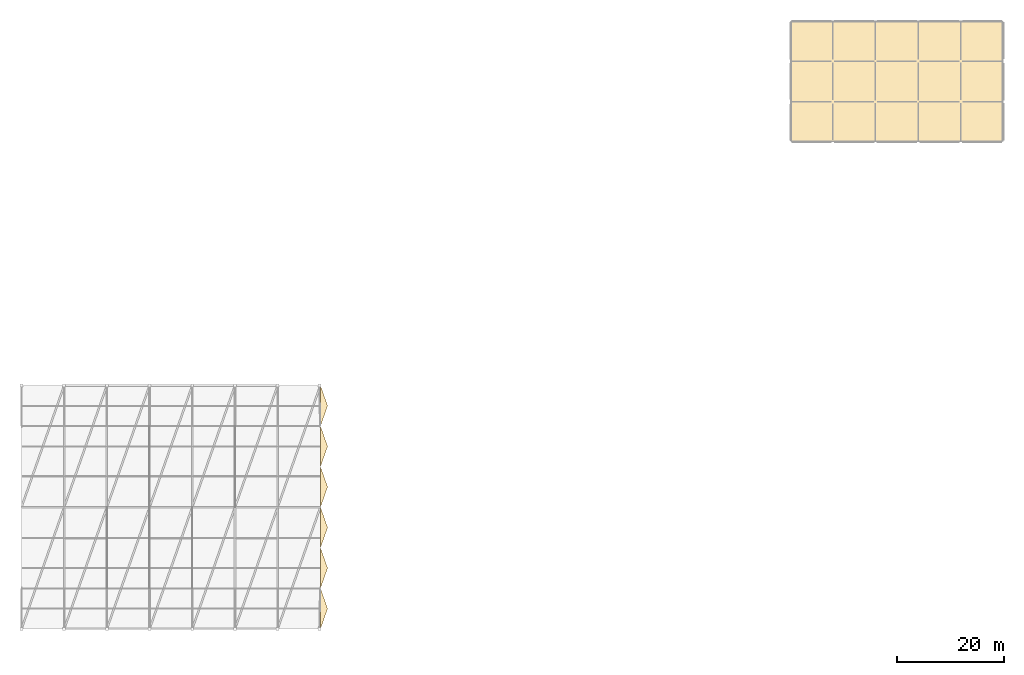
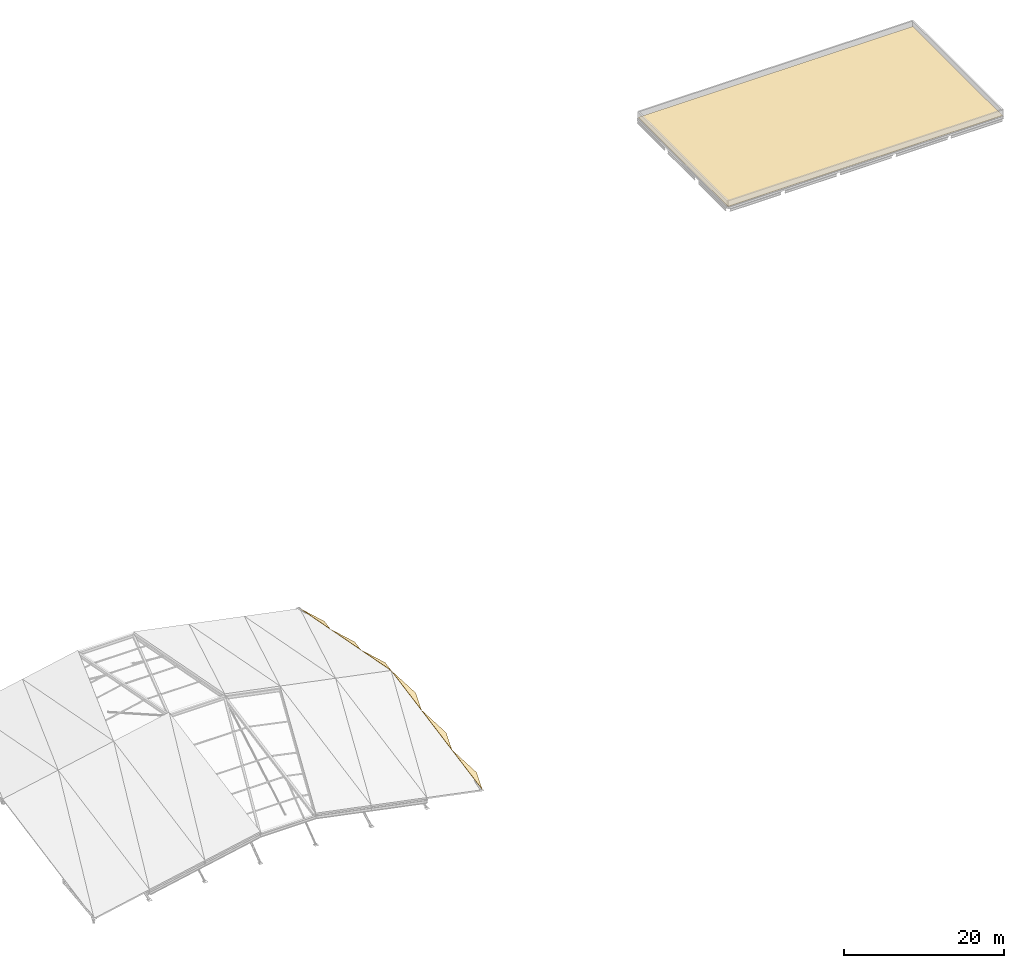
# One storey, part 9 of 9: 7 coverings.
"""IFC4 building model written with IfcOpenShell, lengths in metres."""

from ifc_helpers import new_model, si_unit, direction, frame, origin, place, context, subcontext, project, spatial, polyline, outline, extrude, material, layer, layer_set, type_object, element, save


model = new_model("IFC4")

# Units and contexts
model_context = context("Model", 3, precision=1e-05, world=origin(), true_north=direction((0.0, 1.0)))
body_context = subcontext(model_context, "Body", "Model", "MODEL_VIEW")
ifc_project = project(units=[si_unit("LENGTHUNIT", "METRE"), si_unit("AREAUNIT", "SQUARE_METRE"), si_unit("VOLUMEUNIT", "CUBIC_METRE"), si_unit("PLANEANGLEUNIT", "RADIAN"), si_unit("MASSUNIT", "GRAM", prefix="KILO")], contexts=[model_context])

# Site, building, storey
site_placement = place(None, origin())
site = spatial("IfcSite", under=ifc_project, at=site_placement, CompositionType="ELEMENT")
building_placement = place(site_placement, origin())
building = spatial("IfcBuilding", under=site, at=building_placement, Name="Khelvaren Railside Concert Hall", CompositionType="ELEMENT")
storey_placement = place(building_placement, frame((0.0, 0.0, 29.39990234375)))
storey = spatial("IfcBuildingStorey", under=building, at=storey_placement, Name="ROOF", CompositionType="ELEMENT", Elevation=29.39990234375)

# Coverings
ifc_material_1 = material(Name="Precast architectural concrete C45/55", Category="concrete")
ifc_layer_1 = layer(ifc_material_1, 0.06005859375)
ifc_layer_set_1 = layer_set([ifc_layer_1], Name="Precast architectural concrete C45/55")
covering_type_1 = type_object("IfcCoveringType", Name="CLD31", PredefinedType="CLADDING", material=ifc_layer_set_1)
for number, where, z_axis, x_axis, name in (
    (1, (56.02001953125, 0.0, -2.599853515625), (0.531618604383, -0.159137860701, 0.831899513623), (0.0, 0.982190514712, 0.187887713303), "Main Hall East Plaza Crystal Brow Upper Facet 1"),
    (2, (56.02001953125, 15.199951171875, 0.307861328125), (0.531618604383, -0.159137860701, 0.831899513623), (0.0, 0.982190514712, 0.187887713303), "Main Hall East Plaza Crystal Brow Upper Facet 3"),
):
    element("IfcCovering", number, at=place(storey_placement, frame(where, z_axis=z_axis, x_axis=x_axis)), inside=storey, type_object=covering_type_1, Name=name, PredefinedType="CLADDING", context=body_context, shape_type="SweptSolid", body=[
        extrude(outline(polyline([(0.0, 0.0), (7.7379057753165865, -1.1102230246251565e-16), (3.7092529184534824, -1.5703700949551016), (0.0, 0.0)])), origin(), (0.0, 0.0, -1.0), 0.06005859375),
    ])
covering_1_placement = place(storey_placement, frame((56.02001953125, 30.39990234375, 0.307861328125), z_axis=(0.531618604383, 0.159137860701, 0.831899513623), x_axis=(0.0, 0.982190514712, -0.187887713303)))
element("IfcCovering", 3, at=covering_1_placement, inside=storey, type_object=covering_type_1, Name="Main Hall East Plaza Crystal Brow Upper Facet 5", PredefinedType="CLADDING", context=body_context, shape_type="SweptSolid", body=[
    extrude(outline(polyline([(0.0, 0.0), (7.7379057753165865, 1.1102230246251565e-16), (4.028652856863104, -1.5703700949551016), (0.0, 0.0)])), origin(), (0.0, 0.0, -1.0), 0.06005859375),
])
ifc_material_2 = material(Name="Board-marked precast concrete C45/55", Category="concrete")
ifc_layer_2 = layer(ifc_material_2, 0.070068359375)
ifc_layer_set_2 = layer_set([ifc_layer_2], Name="Board-marked precast concrete C45/55")
covering_type_2 = type_object("IfcCoveringType", Name="CLD68", PredefinedType="CLADDING", material=ifc_layer_set_2)
covering_2_placement = place(storey_placement, frame((56.02001953125, 7.60009765625, -1.14599609375), z_axis=(0.531607693947, -0.159144079115, 0.831905296184), x_axis=(0.0, 0.982189400844, 0.187893535996)))
element("IfcCovering", 4, at=covering_2_placement, inside=storey, type_object=covering_type_2, Name="Main Hall East Plaza Crystal Brow Upper Facet 2", PredefinedType="CLADDING", context=body_context, shape_type="SweptSolid", body=[
    extrude(outline(polyline([(0.0, 0.0), (7.737665982846423, 0.0), (3.7090081769038252, -1.5703573984473465), (0.0, 0.0)])), origin(), (0.0, 0.0, -1.0), 0.070068359375),
])
covering_3_placement = place(storey_placement, frame((56.02001953125, 22.800048828125, 1.76171875), z_axis=(0.531607693947, 0.159144079115, 0.831905296184), x_axis=(0.0, 0.982189400844, -0.187893535996)))
element("IfcCovering", 5, at=covering_3_placement, inside=storey, type_object=covering_type_2, Name="Main Hall East Plaza Crystal Brow Upper Facet 4", PredefinedType="CLADDING", context=body_context, shape_type="SweptSolid", body=[
    extrude(outline(polyline([(0.0, 0.0), (7.737665982846423, 0.0), (4.028657805942597, -1.5703573984473462), (0.0, 0.0)])), origin(), (0.0, 0.0, -1.0), 0.070068359375),
])
covering_4_placement = place(storey_placement, frame((56.02001953125, 38.0, -1.14599609375), z_axis=(0.531618604383, 0.159137860701, 0.831899513623), x_axis=(0.0, 0.982190514712, -0.187887713303)))
element("IfcCovering", 6, at=covering_4_placement, inside=storey, type_object=covering_type_2, Name="Main Hall East Plaza Crystal Brow Upper Facet 6", PredefinedType="CLADDING", context=body_context, shape_type="SweptSolid", body=[
    extrude(outline(polyline([(0.0, 0.0), (7.7379057753165865, 1.1102230246251565e-16), (4.028652856863104, -1.5703700949551016), (0.0, 0.0)])), origin(), (0.0, 0.0, -1.0), 0.070068359375),
])
ifc_material_3 = material(Name="Standing-seam acoustic zinc and waterproof membrane", Category="steel")
ifc_layer_3 = layer(ifc_material_3, 0.050048828125)
ifc_layer_set_3 = layer_set([ifc_layer_3], Name="Standing-seam acoustic zinc and waterproof membrane")
covering_type_3 = type_object("IfcCoveringType", Name="RFG46", PredefinedType="ROOFING", material=ifc_layer_set_3)
covering_5_placement = place(storey_placement, origin())
element("IfcCovering", 7, at=covering_5_placement, inside=storey, type_object=covering_type_3, Name="Acoustic Standing-Seam Roofing V5-TOP-ROOF", PredefinedType="ROOFING", context=body_context, shape_type="SweptSolid", body=[
    extrude(outline(polyline([(144.199951171875, 91.39990234375), (183.800048828125, 91.39990234375), (183.800048828125, 113.800048828125), (144.199951171875, 113.800048828125), (144.199951171875, 91.39990234375)])), origin(), (0.0, 0.0, 1.0), 0.050048828125),
])

save(model, "model.ifc")
